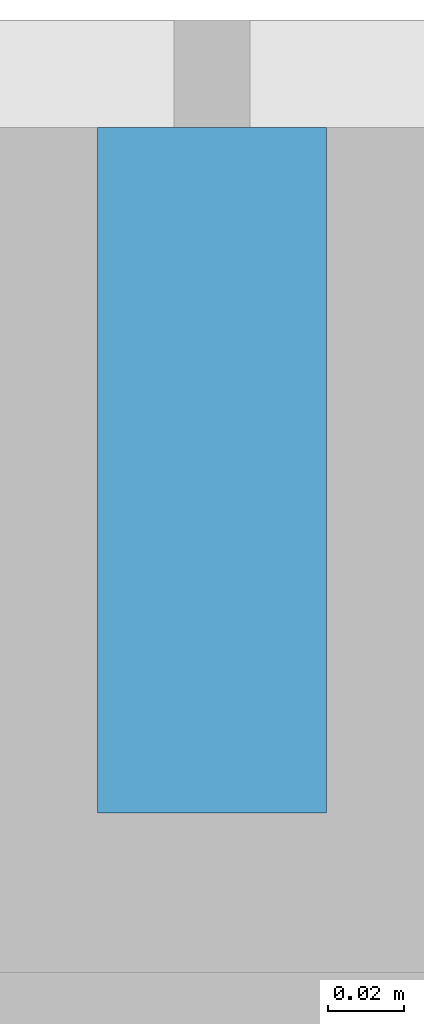
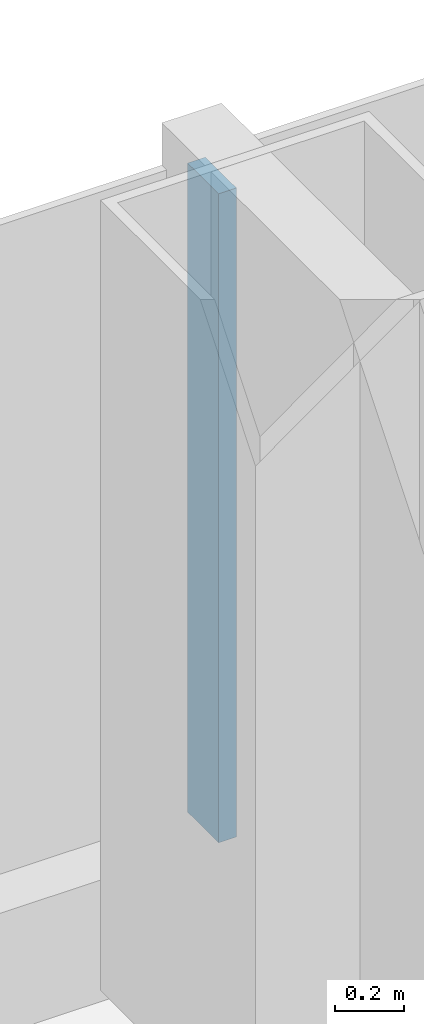
# One storey, part 7 of 29: 1 member, 1 element without a shape of its own.
"""IFC4 building model written with IfcOpenShell, lengths in metres."""

from ifc_helpers import new_model, si_unit, direction, frame, origin, origin_2d, place, context, subcontext, project, spatial, rectangle, extrude, material, layer, layer_set, material_profile, profile_set, type_object, element, aggregate, save


model = new_model("IFC4")

# Units and contexts
model_context = context("Model", 3, precision=1e-05, world=origin(), true_north=direction((0.0, 1.0)))
body_context = subcontext(model_context, "Body", "Model", "MODEL_VIEW")
ifc_project = project(units=[si_unit("LENGTHUNIT", "METRE"), si_unit("AREAUNIT", "SQUARE_METRE"), si_unit("VOLUMEUNIT", "CUBIC_METRE"), si_unit("PLANEANGLEUNIT", "RADIAN"), si_unit("MASSUNIT", "GRAM", prefix="KILO")], contexts=[model_context])

# Site, building, storey
site_placement = place(None, origin())
site = spatial("IfcSite", under=ifc_project, at=site_placement, CompositionType="ELEMENT")
building_placement = place(site_placement, origin())
building = spatial("IfcBuilding", under=site, at=building_placement, Name="Hakoniwa Tower and Hamabe Station Hall", CompositionType="ELEMENT")
storey_placement = place(building_placement, frame((0.0, 0.0, 45.39990234375)))
storey = spatial("IfcBuildingStorey", under=building, at=storey_placement, Name="L12", CompositionType="ELEMENT", Elevation=45.39990234375)

# Curtain wall, member
ifc_material_1 = material(Name="Dark low-e laminated glass", Category="glass")
ifc_layer = layer(ifc_material_1, 0.199951171875)
ifc_layer_set = layer_set([ifc_layer], Name="CW-1 UNITISED GUEST")
curtain_wall_type = type_object("IfcCurtainWallType", Name="CW-1 UNITISED GUEST", PredefinedType="NOTDEFINED", material=ifc_layer_set)
curtain_wall_placement = place(storey_placement, origin())
curtain_wall = element("IfcCurtainWall", 1, at=curtain_wall_placement, inside=storey, type_object=curtain_wall_type, Name="CW-1 curtain wall", PredefinedType="NOTDEFINED")
ifc_material_2 = material(Name="Aluminium 6063-T5 black anodised", Category="aluminium")
ifc_material_profile = material_profile(ifc_material_2, rectangle(XDim=0.06005859375, YDim=0.179931640625, at=origin_2d()), Name="CW-1 MULLION 60X180")
ifc_profile_set = profile_set([ifc_material_profile], Name="Aluminium 6063-T5 black anodised")
member_type = type_object("IfcMemberType", Name="CW-1 MULLION 60X180", PredefinedType="MULLION", material=ifc_profile_set)
member_placement = place(storey_placement, frame((0.0, 20.181884765625, 0.35009765625), z_axis=(0.0, 0.0, 1.0), x_axis=(-1.0, 0.0, 0.0)))
member = element("IfcMember", 2, at=member_placement, type_object=member_type, Name="CW-1 mullion", PredefinedType="MULLION", context=body_context, shape_type="SweptSolid", body=[
    extrude(rectangle(XDim=0.06005859375, YDim=0.179931640625, at=origin_2d()), origin(), (0.0, 0.0, 1.0), 2.300048828125),
])
aggregate(curtain_wall, [member])

save(model, "model.ifc")
